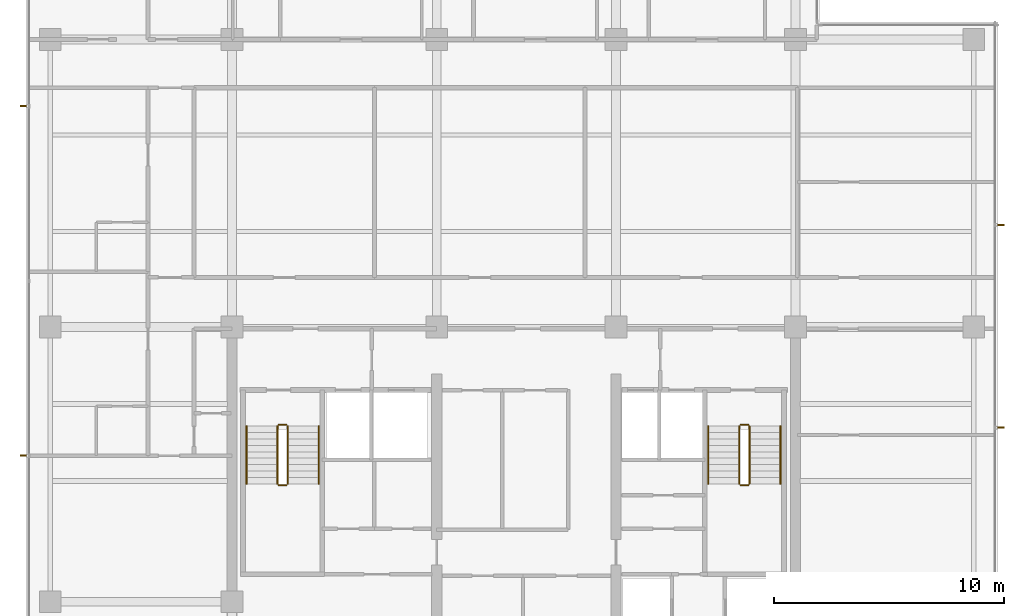
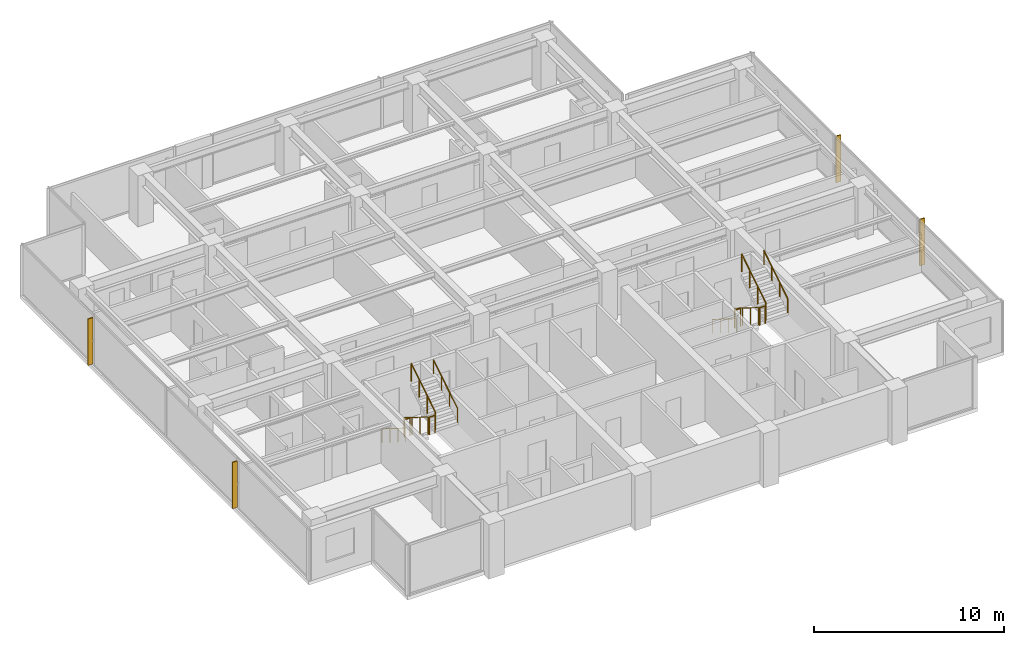
# One storey, part 13 of 14: 12 railings, 4 shading devices.
"""IFC4 building model written with IfcOpenShell, lengths in metres."""

from ifc_helpers import new_model, si_unit, direction, frame, origin, origin_2d, place, context, subcontext, project, spatial, polyline, circle, outline, extrude, material, layer, layer_set, type_object, element, save


model = new_model("IFC4")

# Units and contexts
model_context = context("Model", 3, precision=1e-05, world=origin(), true_north=direction((0.0, 1.0)))
body_context = subcontext(model_context, "Body", "Model", "MODEL_VIEW")
ifc_project = project(units=[si_unit("LENGTHUNIT", "METRE"), si_unit("AREAUNIT", "SQUARE_METRE"), si_unit("VOLUMEUNIT", "CUBIC_METRE"), si_unit("PLANEANGLEUNIT", "RADIAN"), si_unit("MASSUNIT", "GRAM", prefix="KILO")], contexts=[model_context])

# Site, building, storey
site_placement = place(None, origin())
site = spatial("IfcSite", under=ifc_project, at=site_placement, CompositionType="ELEMENT")
building_placement = place(site_placement, origin())
building = spatial("IfcBuilding", under=site, at=building_placement, Name="Qalmaran Belvedere Hotel", CompositionType="ELEMENT")
storey_placement = place(building_placement, frame((0.0, 0.0, 210.89990234375)))
storey = spatial("IfcBuildingStorey", under=building, at=storey_placement, Name="L53", CompositionType="ELEMENT", Elevation=210.89990234375)

# Shading devices
ifc_material_1 = material(Name="Anodised Bronze Aluminium", Category="aluminium")
ifc_layer = layer(ifc_material_1, 0.06494140625, Name="Anodised Bronze Aluminium")
ifc_layer_set = layer_set([ifc_layer], Name="Anodised Bronze Aluminium")
shading_device_type = type_object("IfcShadingDeviceType", Name="FIN-BRNZ-300", PredefinedType="USERDEFINED", material=ifc_layer_set)
shading_device_1_placement = place(storey_placement, frame((0.0, 0.0, 0.16015625)))
element("IfcShadingDevice", 1, at=shading_device_1_placement, inside=storey, type_object=shading_device_type, Name="L53 Bronze Fin 1", ObjectType="FIN", PredefinedType="USERDEFINED", context=body_context, shape_type="SweptSolid", body=[
    extrude(outline(polyline([(53.5673828125, 16.084228515625), (53.867431640625, 16.084228515625), (53.867431640625, 16.149169921875), (53.5673828125, 16.149169921875), (53.5673828125, 16.084228515625)])), origin(), (0.0, 0.0, 1.0), 2.97998046875),
])
shading_device_2_placement = place(storey_placement, frame((0.0, 0.0, 0.16015625)))
element("IfcShadingDevice", 2, at=shading_device_2_placement, inside=storey, type_object=shading_device_type, Name="L53 Bronze Fin 2", ObjectType="FIN", PredefinedType="USERDEFINED", context=body_context, shape_type="SweptSolid", body=[
    extrude(outline(polyline([(53.5673828125, 24.90087890625), (53.867431640625, 24.90087890625), (53.867431640625, 24.9658203125), (53.5673828125, 24.9658203125), (53.5673828125, 24.90087890625)])), origin(), (0.0, 0.0, 1.0), 2.97998046875),
])
shading_device_3_placement = place(storey_placement, frame((0.0, 0.0, 0.16015625)))
element("IfcShadingDevice", 3, at=shading_device_3_placement, inside=storey, type_object=shading_device_type, Name="L53 Bronze Fin 1", ObjectType="FIN", PredefinedType="USERDEFINED", context=body_context, shape_type="SweptSolid", body=[
    extrude(outline(polyline([(11.382568359375, 30.132568359375), (11.08251953125, 30.132568359375), (11.08251953125, 30.0673828125), (11.382568359375, 30.0673828125), (11.382568359375, 30.132568359375)])), origin(), (0.0, 0.0, 1.0), 2.97998046875),
])
shading_device_4_placement = place(storey_placement, frame((0.0, 0.0, 0.16015625)))
element("IfcShadingDevice", 4, at=shading_device_4_placement, inside=storey, type_object=shading_device_type, Name="L53 Bronze Fin 3", ObjectType="FIN", PredefinedType="USERDEFINED", context=body_context, shape_type="SweptSolid", body=[
    extrude(outline(polyline([(11.382568359375, 14.9326171875), (11.08251953125, 14.9326171875), (11.08251953125, 14.867431640625), (11.382568359375, 14.867431640625), (11.382568359375, 14.9326171875)])), origin(), (0.0, 0.0, 1.0), 2.97998046875),
])

# Railings
ifc_material_2 = material(Name="Stainless Steel 1.4401", Category="steel")
railing_type_1 = type_object("IfcRailingType", Name="RLG-STAIR-GUARD-1150", PredefinedType="GUARDRAIL", material=ifc_material_2)
railing_1_placement = place(storey_placement, frame((22.280029296875, 16.18994140625, 0.175048828125)))
element("IfcRailing", 5, at=railing_1_placement, inside=storey, type_object=railing_type_1, Name="L53 ST-1 stair guard 1", PredefinedType="GUARDRAIL", context=body_context, shape_type="SweptSolid", body=[
    extrude(circle(Radius=0.02392578125, at=origin_2d()), frame((0.0, 0.0, 1.1259765625), z_axis=(0.0, -0.848007534815, 0.529984170421), x_axis=(1.0, 0.0, 0.0)), (0.0, 0.0, 1.0), 2.9716796875),
    extrude(circle(Radius=0.02099609375, at=origin_2d()), origin(), (0.0, 0.0, 1.0), 1.101806640625),
    extrude(circle(Radius=0.02099609375, at=origin_2d()), frame((0.0, -0.840087890625, 0.52490234375)), (0.0, 0.0, 1.0), 1.101806640625),
    extrude(circle(Radius=0.02099609375, at=origin_2d()), frame((0.0, -1.679931640625, 1.050048828125)), (0.0, 0.0, 1.0), 1.101806640625),
    extrude(circle(Radius=0.02099609375, at=origin_2d()), frame((0.0, -2.52001953125, 1.574951171875)), (0.0, 0.0, 1.0), 1.101806640625),
])
railing_2_placement = place(storey_placement, frame((22.330078125, 13.6201171875, 1.75)))
element("IfcRailing", 6, at=railing_2_placement, inside=storey, type_object=railing_type_1, Name="L53 ST-1 stair guard 2", PredefinedType="GUARDRAIL", context=body_context, shape_type="SweptSolid", body=[
    extrude(circle(Radius=0.02392578125, at=origin_2d()), frame((0.0, 0.0, 1.1259765625), z_axis=(1.0, 0.0, 0.0), x_axis=(0.0, 1.0, 0.0)), (0.0, 0.0, 1.0), 0.33984375),
    extrude(circle(Radius=0.02099609375, at=origin_2d()), origin(), (0.0, 0.0, 1.0), 1.101806640625),
    extrude(circle(Radius=0.02099609375, at=origin_2d()), frame((0.33984375, 0.0, 0.0)), (0.0, 0.0, 1.0), 1.101806640625),
])
railing_3_placement = place(storey_placement, frame((22.719970703125, 13.669921875, 1.925048828125)))
element("IfcRailing", 7, at=railing_3_placement, inside=storey, type_object=railing_type_1, Name="L53 ST-1 stair guard 3", PredefinedType="GUARDRAIL", context=body_context, shape_type="SweptSolid", body=[
    extrude(circle(Radius=0.02392578125, at=origin_2d()), frame((0.0, 0.0, 1.1259765625), z_axis=(0.0, 0.848007534815, 0.529984170421), x_axis=(-1.0, 0.0, 0.0)), (0.0, 0.0, 1.0), 2.9716796875),
    extrude(circle(Radius=0.02099609375, at=origin_2d()), origin(), (0.0, 0.0, 1.0), 1.101806640625),
    extrude(circle(Radius=0.02099609375, at=origin_2d()), frame((0.0, 0.840087890625, 0.52490234375)), (0.0, 0.0, 1.0), 1.101806640625),
    extrude(circle(Radius=0.02099609375, at=origin_2d()), frame((0.0, 1.679931640625, 1.050048828125)), (0.0, 0.0, 1.0), 1.101806640625),
    extrude(circle(Radius=0.02099609375, at=origin_2d()), frame((0.0, 2.52001953125, 1.574951171875)), (0.0, 0.0, 1.0), 1.101806640625),
])
railing_4_placement = place(storey_placement, frame((22.330078125, 16.239990234375, 0.0)))
element("IfcRailing", 8, at=railing_4_placement, inside=storey, type_object=railing_type_1, Name="L53 ST-1 stair guard 4", PredefinedType="GUARDRAIL", context=body_context, shape_type="SweptSolid", body=[
    extrude(circle(Radius=0.02392578125, at=origin_2d()), frame((0.0, 0.0, 1.1259765625), z_axis=(1.0, 0.0, 0.0), x_axis=(0.0, 1.0, 0.0)), (0.0, 0.0, 1.0), 0.33984375),
    extrude(circle(Radius=0.02099609375, at=origin_2d()), origin(), (0.0, 0.0, 1.0), 1.101806640625),
    extrude(circle(Radius=0.02099609375, at=origin_2d()), frame((0.33984375, 0.0, 0.0)), (0.0, 0.0, 1.0), 1.101806640625),
])
railing_5_placement = place(storey_placement, frame((42.360107421875, 16.18994140625, 0.175048828125)))
element("IfcRailing", 9, at=railing_5_placement, inside=storey, type_object=railing_type_1, Name="L53 ST-2 stair guard 1", PredefinedType="GUARDRAIL", context=body_context, shape_type="SweptSolid", body=[
    extrude(circle(Radius=0.02392578125, at=origin_2d()), frame((0.0, 0.0, 1.1259765625), z_axis=(0.0, -0.848007534815, 0.529984170421), x_axis=(1.0, 0.0, 0.0)), (0.0, 0.0, 1.0), 2.9716796875),
    extrude(circle(Radius=0.02099609375, at=origin_2d()), origin(), (0.0, 0.0, 1.0), 1.101806640625),
    extrude(circle(Radius=0.02099609375, at=origin_2d()), frame((0.0, -0.840087890625, 0.52490234375)), (0.0, 0.0, 1.0), 1.101806640625),
    extrude(circle(Radius=0.02099609375, at=origin_2d()), frame((0.0, -1.679931640625, 1.050048828125)), (0.0, 0.0, 1.0), 1.101806640625),
    extrude(circle(Radius=0.02099609375, at=origin_2d()), frame((0.0, -2.52001953125, 1.574951171875)), (0.0, 0.0, 1.0), 1.101806640625),
])
railing_6_placement = place(storey_placement, frame((42.409912109375, 13.6201171875, 1.75)))
element("IfcRailing", 10, at=railing_6_placement, inside=storey, type_object=railing_type_1, Name="L53 ST-2 stair guard 2", PredefinedType="GUARDRAIL", context=body_context, shape_type="SweptSolid", body=[
    extrude(circle(Radius=0.02392578125, at=origin_2d()), frame((0.0, 0.0, 1.1259765625), z_axis=(1.0, 0.0, 0.0), x_axis=(0.0, 1.0, 0.0)), (0.0, 0.0, 1.0), 0.340087890625),
    extrude(circle(Radius=0.02099609375, at=origin_2d()), origin(), (0.0, 0.0, 1.0), 1.101806640625),
    extrude(circle(Radius=0.02099609375, at=origin_2d()), frame((0.340087890625, 0.0, 0.0)), (0.0, 0.0, 1.0), 1.101806640625),
])
railing_7_placement = place(storey_placement, frame((42.800048828125, 13.669921875, 1.925048828125)))
element("IfcRailing", 11, at=railing_7_placement, inside=storey, type_object=railing_type_1, Name="L53 ST-2 stair guard 3", PredefinedType="GUARDRAIL", context=body_context, shape_type="SweptSolid", body=[
    extrude(circle(Radius=0.02392578125, at=origin_2d()), frame((0.0, 0.0, 1.1259765625), z_axis=(0.0, 0.848007534815, 0.529984170421), x_axis=(-1.0, 0.0, 0.0)), (0.0, 0.0, 1.0), 2.9716796875),
    extrude(circle(Radius=0.02099609375, at=origin_2d()), origin(), (0.0, 0.0, 1.0), 1.101806640625),
    extrude(circle(Radius=0.02099609375, at=origin_2d()), frame((0.0, 0.840087890625, 0.52490234375)), (0.0, 0.0, 1.0), 1.101806640625),
    extrude(circle(Radius=0.02099609375, at=origin_2d()), frame((0.0, 1.679931640625, 1.050048828125)), (0.0, 0.0, 1.0), 1.101806640625),
    extrude(circle(Radius=0.02099609375, at=origin_2d()), frame((0.0, 2.52001953125, 1.574951171875)), (0.0, 0.0, 1.0), 1.101806640625),
])
railing_8_placement = place(storey_placement, frame((42.409912109375, 16.239990234375, 0.0)))
element("IfcRailing", 12, at=railing_8_placement, inside=storey, type_object=railing_type_1, Name="L53 ST-2 stair guard 4", PredefinedType="GUARDRAIL", context=body_context, shape_type="SweptSolid", body=[
    extrude(circle(Radius=0.02392578125, at=origin_2d()), frame((0.0, 0.0, 1.1259765625), z_axis=(1.0, 0.0, 0.0), x_axis=(0.0, 1.0, 0.0)), (0.0, 0.0, 1.0), 0.340087890625),
    extrude(circle(Radius=0.02099609375, at=origin_2d()), origin(), (0.0, 0.0, 1.0), 1.101806640625),
    extrude(circle(Radius=0.02099609375, at=origin_2d()), frame((0.340087890625, 0.0, 0.0)), (0.0, 0.0, 1.0), 1.101806640625),
])
railing_type_2 = type_object("IfcRailingType", Name="RLG-STAIR-HAND-910", PredefinedType="HANDRAIL", material=ifc_material_2)
railing_9_placement = place(storey_placement, frame((20.929931640625, 16.18994140625, 0.175048828125)))
element("IfcRailing", 13, at=railing_9_placement, inside=storey, type_object=railing_type_2, Name="L53 ST-1 stair handrail 1", PredefinedType="HANDRAIL", context=body_context, shape_type="SweptSolid", body=[
    extrude(circle(Radius=0.02392578125, at=origin_2d()), frame((0.0, 0.0, 0.8857421875), z_axis=(0.0, -0.848007534815, 0.529984170421), x_axis=(1.0, 0.0, 0.0)), (0.0, 0.0, 1.0), 2.9716796875),
    extrude(circle(Radius=0.02099609375, at=origin_2d()), origin(), (0.0, 0.0, 1.0), 0.86181640625),
    extrude(circle(Radius=0.02099609375, at=origin_2d()), frame((0.0, -0.840087890625, 0.52490234375)), (0.0, 0.0, 1.0), 0.86181640625),
    extrude(circle(Radius=0.02099609375, at=origin_2d()), frame((0.0, -1.679931640625, 1.050048828125)), (0.0, 0.0, 1.0), 0.86181640625),
    extrude(circle(Radius=0.02099609375, at=origin_2d()), frame((0.0, -2.52001953125, 1.574951171875)), (0.0, 0.0, 1.0), 0.86181640625),
])
railing_10_placement = place(storey_placement, frame((24.070068359375, 13.669921875, 1.925048828125)))
element("IfcRailing", 14, at=railing_10_placement, inside=storey, type_object=railing_type_2, Name="L53 ST-1 stair handrail 2", PredefinedType="HANDRAIL", context=body_context, shape_type="SweptSolid", body=[
    extrude(circle(Radius=0.02392578125, at=origin_2d()), frame((0.0, 0.0, 0.8857421875), z_axis=(0.0, 0.848007534815, 0.529984170421), x_axis=(-1.0, 0.0, 0.0)), (0.0, 0.0, 1.0), 2.9716796875),
    extrude(circle(Radius=0.02099609375, at=origin_2d()), origin(), (0.0, 0.0, 1.0), 0.86181640625),
    extrude(circle(Radius=0.02099609375, at=origin_2d()), frame((0.0, 0.840087890625, 0.52490234375)), (0.0, 0.0, 1.0), 0.86181640625),
    extrude(circle(Radius=0.02099609375, at=origin_2d()), frame((0.0, 1.679931640625, 1.050048828125)), (0.0, 0.0, 1.0), 0.86181640625),
    extrude(circle(Radius=0.02099609375, at=origin_2d()), frame((0.0, 2.52001953125, 1.574951171875)), (0.0, 0.0, 1.0), 0.86181640625),
])
railing_11_placement = place(storey_placement, frame((41.010009765625, 16.18994140625, 0.175048828125)))
element("IfcRailing", 15, at=railing_11_placement, inside=storey, type_object=railing_type_2, Name="L53 ST-2 stair handrail 1", PredefinedType="HANDRAIL", context=body_context, shape_type="SweptSolid", body=[
    extrude(circle(Radius=0.02392578125, at=origin_2d()), frame((0.0, 0.0, 0.8857421875), z_axis=(0.0, -0.848007534815, 0.529984170421), x_axis=(1.0, 0.0, 0.0)), (0.0, 0.0, 1.0), 2.9716796875),
    extrude(circle(Radius=0.02099609375, at=origin_2d()), origin(), (0.0, 0.0, 1.0), 0.86181640625),
    extrude(circle(Radius=0.02099609375, at=origin_2d()), frame((0.0, -0.840087890625, 0.52490234375)), (0.0, 0.0, 1.0), 0.86181640625),
    extrude(circle(Radius=0.02099609375, at=origin_2d()), frame((0.0, -1.679931640625, 1.050048828125)), (0.0, 0.0, 1.0), 0.86181640625),
    extrude(circle(Radius=0.02099609375, at=origin_2d()), frame((0.0, -2.52001953125, 1.574951171875)), (0.0, 0.0, 1.0), 0.86181640625),
])
railing_12_placement = place(storey_placement, frame((44.14990234375, 13.669921875, 1.925048828125)))
element("IfcRailing", 16, at=railing_12_placement, inside=storey, type_object=railing_type_2, Name="L53 ST-2 stair handrail 2", PredefinedType="HANDRAIL", context=body_context, shape_type="SweptSolid", body=[
    extrude(circle(Radius=0.02392578125, at=origin_2d()), frame((0.0, 0.0, 0.8857421875), z_axis=(0.0, 0.848007534815, 0.529984170421), x_axis=(-1.0, 0.0, 0.0)), (0.0, 0.0, 1.0), 2.9716796875),
    extrude(circle(Radius=0.02099609375, at=origin_2d()), origin(), (0.0, 0.0, 1.0), 0.86181640625),
    extrude(circle(Radius=0.02099609375, at=origin_2d()), frame((0.0, 0.840087890625, 0.52490234375)), (0.0, 0.0, 1.0), 0.86181640625),
    extrude(circle(Radius=0.02099609375, at=origin_2d()), frame((0.0, 1.679931640625, 1.050048828125)), (0.0, 0.0, 1.0), 0.86181640625),
    extrude(circle(Radius=0.02099609375, at=origin_2d()), frame((0.0, 2.52001953125, 1.574951171875)), (0.0, 0.0, 1.0), 0.86181640625),
])

save(model, "model.ifc")
